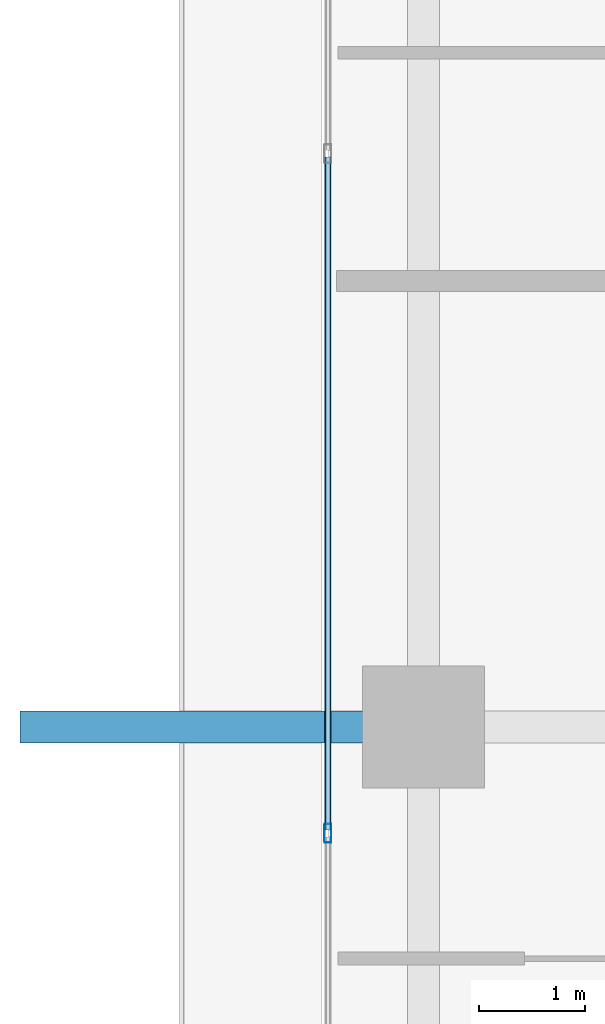
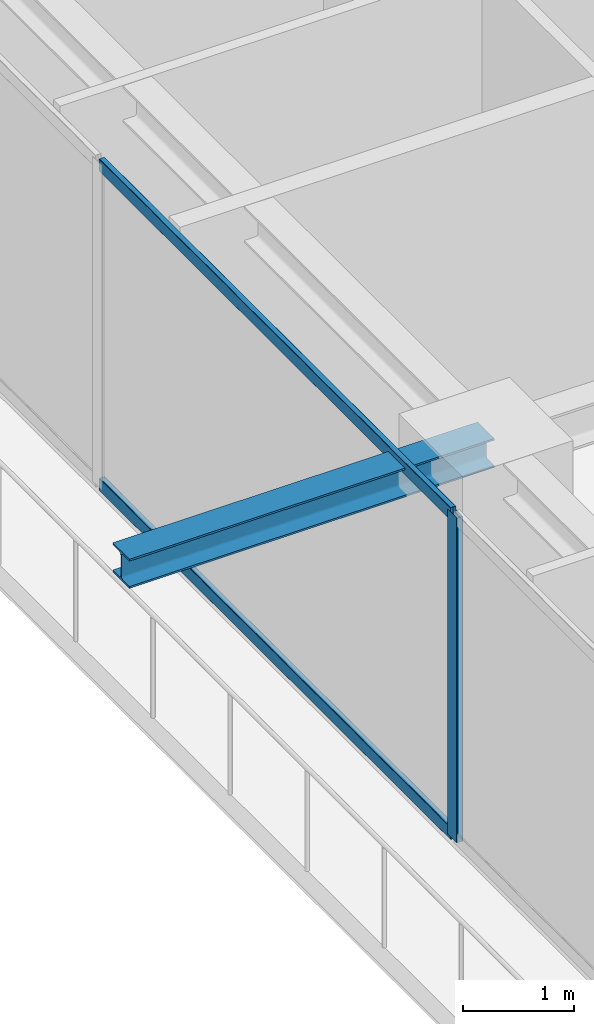
# One storey, part 9 of 37: 3 members, 1 beam, 1 element without a shape of its own.
"""IFC4 building model written with IfcOpenShell, lengths in metres."""

from ifc_helpers import new_model, si_unit, direction, frame, origin, origin_2d, place, context, subcontext, project, spatial, hollow_rectangle, i_section, extrude, source, transform, mapped, material, layer, layer_set, material_profile, profile_set, type_object, element, aggregate, save


model = new_model("IFC4")

# Units and contexts
model_context = context("Model", 3, precision=1e-05, world=origin(), true_north=direction((0.0, 1.0)))
body_context = subcontext(model_context, "Body", "Model", "MODEL_VIEW")
ifc_project = project(units=[si_unit("LENGTHUNIT", "METRE"), si_unit("AREAUNIT", "SQUARE_METRE"), si_unit("VOLUMEUNIT", "CUBIC_METRE"), si_unit("PLANEANGLEUNIT", "RADIAN"), si_unit("MASSUNIT", "GRAM", prefix="KILO")], contexts=[model_context])

# Site, building, storey
site_placement = place(None, origin())
site = spatial("IfcSite", under=ifc_project, at=site_placement, CompositionType="ELEMENT")
building_placement = place(site_placement, origin())
building = spatial("IfcBuilding", under=site, at=building_placement, Name="Serunith Strait Residences", CompositionType="ELEMENT")
storey_placement = place(building_placement, frame((0.0, 0.0, 279.75)))
storey = spatial("IfcBuildingStorey", under=building, at=storey_placement, Name="L70", CompositionType="ELEMENT", Elevation=279.75)

# Beam
ifc_material_1 = material(Name="Steel S355J2", Category="steel")
ifc_material_profile_1 = material_profile(ifc_material_1, i_section(OverallWidth=0.300048828125, OverallDepth=0.320068359375, WebThickness=0.011474609375, FlangeThickness=0.0205078125, FilletRadius=0.027099609375, at=origin_2d()), Name="HEB 320")
ifc_profile_set_1 = profile_set([ifc_material_profile_1], Name="Steel S355J2")
beam_type = type_object("IfcBeamType", Name="BM-HEB320", PredefinedType="BEAM", material=ifc_profile_set_1)
shared_shape_1 = source(origin(), body_context, "Body", "SweptSolid", [
    extrude(i_section(OverallWidth=0.300048828125, OverallDepth=0.320068359375, WebThickness=0.011474609375, FlangeThickness=0.0205078125, FilletRadius=0.027099609375, at=origin_2d()), origin(), (0.0, 0.0, 1.0), 3.800048828125),
])
beam_placement = place(storey_placement, frame((8.300048828125, 29.39990234375, 3.39697265625), z_axis=(-1.0, 0.0, 0.0), x_axis=(0.0, -1.0, 0.0)))
element("IfcBeam", 1, at=beam_placement, inside=storey, type_object=beam_type, Name="L71 Cantilevered Balcony Rib TC-W3", PredefinedType="BEAM", context=body_context, shape_type="MappedRepresentation", body=[
    mapped(shared_shape_1, transform((0.0, 0.0, 0.0), scale=1.0)),
])

# Curtain wall, members
ifc_material_2 = material(Name="Pale-Champagne Anodised Aluminium", Category="aluminium")
ifc_layer = layer(ifc_material_2, 0.199951171875, Name="Pale-Champagne Anodised Aluminium")
ifc_layer_set = layer_set([ifc_layer], Name="Pale-Champagne Anodised Aluminium")
curtain_wall_type = type_object("IfcCurtainWallType", Name="CW-SYS4", PredefinedType="NOTDEFINED", material=ifc_layer_set)
curtain_wall_placement = place(storey_placement, origin())
curtain_wall = element("IfcCurtainWall", 2, at=curtain_wall_placement, inside=storey, type_object=curtain_wall_type, Name="L70 W Unitised Fritted Curtain Wall", PredefinedType="NOTDEFINED")
ifc_material_profile_2 = material_profile(ifc_material_2, hollow_rectangle(XDim=0.06494140625, YDim=0.179931640625, WallThickness=0.00341796875, InnerFilletRadius=0.00537109375, OuterFilletRadius=0.0087890625, at=origin_2d()), Name="ALU 180x65x3.5")
ifc_profile_set_2 = profile_set([ifc_material_profile_2], Name="Pale-Champagne Anodised Aluminium")
member_type_1 = type_object("IfcMemberType", Name="CW-SYS4-MULL", PredefinedType="MULLION", material=ifc_profile_set_2)
shared_shape_2 = source(origin(), body_context, "Body", "SweptSolid", [
    extrude(hollow_rectangle(XDim=0.06494140625, YDim=0.179931640625, WallThickness=0.00341796875, InnerFilletRadius=0.00537109375, OuterFilletRadius=0.0087890625, at=origin_2d()), origin(), (0.0, 0.0, 1.0), 3.574951171875),
])
member_1_placement = place(storey_placement, frame((7.39990234375, 28.39990234375, 0.0), z_axis=(0.0, 0.0, 1.0), x_axis=(1.0, 0.0, 0.0)))
member_1 = element("IfcMember", 3, at=member_1_placement, type_object=member_type_1, Name="CW-4 mullion 3", PredefinedType="MULLION", context=body_context, shape_type="MappedRepresentation", body=[
    mapped(shared_shape_2, transform((0.0, 0.0, 0.0), scale=1.0)),
])
ifc_material_profile_3 = material_profile(ifc_material_2, hollow_rectangle(XDim=0.06005859375, YDim=0.139892578125, WallThickness=0.00341796875, InnerFilletRadius=0.00537109375, OuterFilletRadius=0.0087890625, at=origin_2d()), Name="ALU 140x60x3.5")
ifc_profile_set_3 = profile_set([ifc_material_profile_3], Name="Pale-Champagne Anodised Aluminium")
member_type_2 = type_object("IfcMemberType", Name="CW-SYS4-TRAN", PredefinedType="USERDEFINED", material=ifc_profile_set_3)
shared_shape_3 = source(origin(), body_context, "Body", "SweptSolid", [
    extrude(hollow_rectangle(XDim=0.06005859375, YDim=0.139892578125, WallThickness=0.00341796875, InnerFilletRadius=0.00537109375, OuterFilletRadius=0.0087890625, at=origin_2d()), origin(), (0.0, 0.0, 1.0), 6.3349609375),
])
member_2_placement = place(storey_placement, frame((7.39990234375, 34.767578125, 0.030029296875), z_axis=(0.0, -1.0, 0.0), x_axis=(1.0, 0.0, 0.0)))
member_2 = element("IfcMember", 4, at=member_2_placement, type_object=member_type_2, Name="CW-4 transom 2.1", ObjectType="TRANSOM", PredefinedType="USERDEFINED", context=body_context, shape_type="MappedRepresentation", body=[
    mapped(shared_shape_3, transform((0.0, 0.0, 0.0), scale=1.0)),
])
member_3_placement = place(storey_placement, frame((7.39990234375, 34.767578125, 3.544921875), z_axis=(0.0, -1.0, 0.0), x_axis=(1.0, 0.0, 0.0)))
member_3 = element("IfcMember", 5, at=member_3_placement, type_object=member_type_2, Name="CW-4 transom 2.2", ObjectType="TRANSOM", PredefinedType="USERDEFINED", context=body_context, shape_type="MappedRepresentation", body=[
    mapped(shared_shape_3, transform((0.0, 0.0, 0.0), scale=1.0)),
])
aggregate(curtain_wall, [member_1, member_2, member_3])

save(model, "model.ifc")
